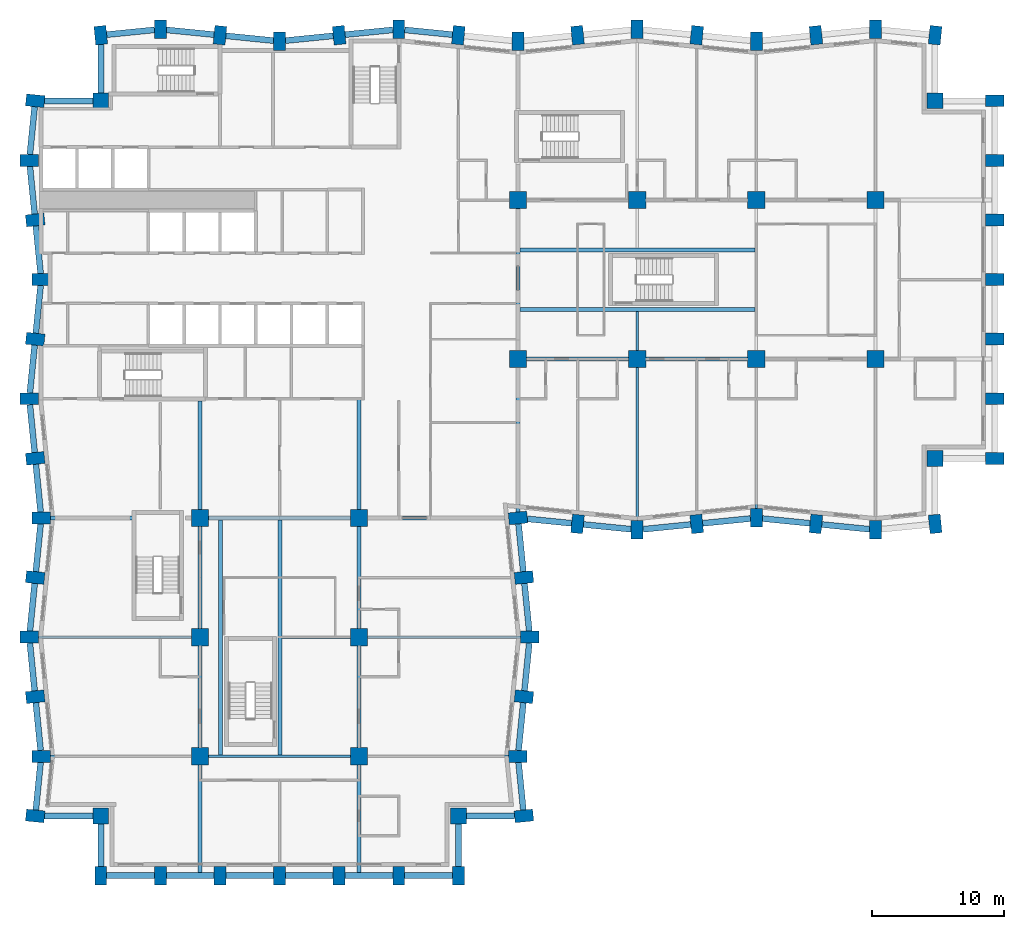
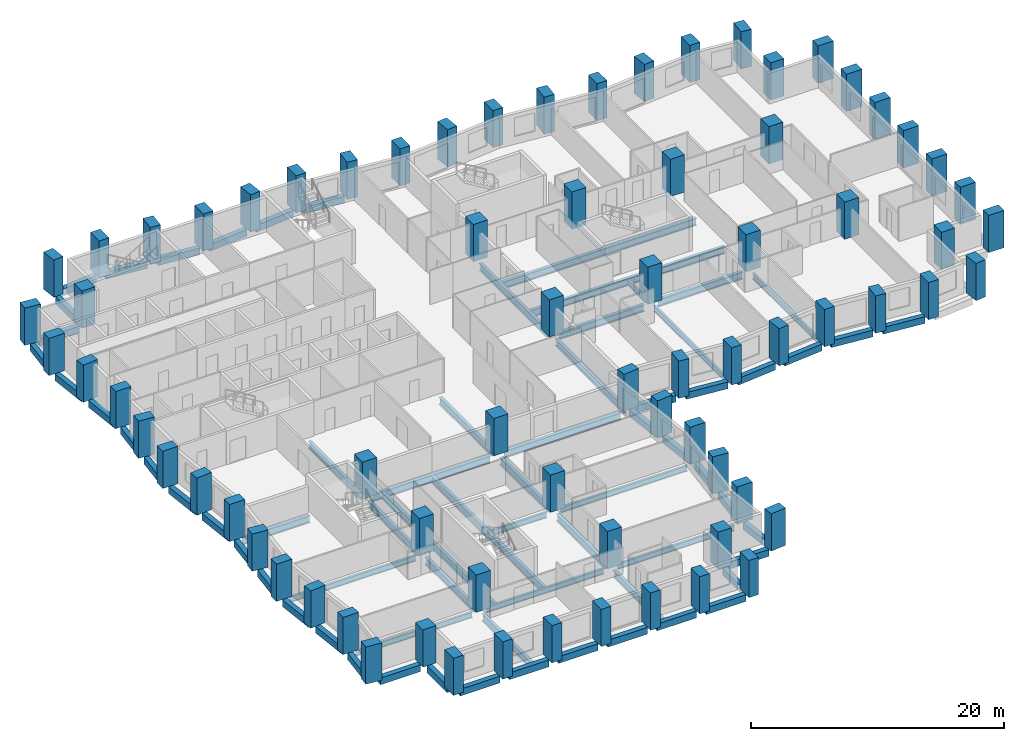
# One storey, part 1 of 12: 74 columns, 69 beams.
"""IFC4 building model written with IfcOpenShell, lengths in metres."""

from ifc_helpers import new_model, si_unit, direction, frame, origin, origin_2d, place, context, subcontext, project, spatial, rectangle, i_section, extrude, material, material_profile, profile_set, type_object, element, save


model = new_model("IFC4")

# Units and contexts
model_context = context("Model", 3, precision=1e-05, world=origin(), true_north=direction((0.0, 1.0)))
body_context = subcontext(model_context, "Body", "Model", "MODEL_VIEW")
ifc_project = project(units=[si_unit("LENGTHUNIT", "METRE"), si_unit("AREAUNIT", "SQUARE_METRE"), si_unit("VOLUMEUNIT", "CUBIC_METRE"), si_unit("PLANEANGLEUNIT", "RADIAN"), si_unit("MASSUNIT", "GRAM", prefix="KILO")], contexts=[model_context])

# Site, building, storey
site_placement = place(None, origin())
site = spatial("IfcSite", under=ifc_project, at=site_placement, CompositionType="ELEMENT")
building_placement = place(site_placement, origin())
building = spatial("IfcBuilding", under=site, at=building_placement, Name="Brondeck Convention Tower", CompositionType="ELEMENT")
storey_placement = place(building_placement, frame((0.0, 0.0, 55.5)))
storey = spatial("IfcBuildingStorey", under=building, at=storey_placement, Name="L11", CompositionType="ELEMENT", Elevation=55.5)

# Columns
ifc_material_1 = material(Name="Concrete C80/95", Category="concrete")
ifc_material_profile_1 = material_profile(ifc_material_1, rectangle(XDim=1.199951171875, YDim=1.199951171875, at=origin_2d()), Name="Corner column 1200x1200 Concrete C80/95")
ifc_profile_set_1 = profile_set([ifc_material_profile_1], Name="Concrete C80/95")
column_type_1 = type_object("IfcColumnType", Name="Corner column 1200x1200 Concrete C80/95", PredefinedType="COLUMN", material=ifc_profile_set_1)
for number, where, z_axis, x_axis, name in (
    (1, (4.5, 4.5, 0.0), (0.0, 0.0, 1.0), (1.0, 0.0, 0.0), "STR-COL-L11-NC-SWB0"),
    (2, (31.5, 4.5, 0.0), (0.0, 0.0, 1.0), (1.0, 0.0, 0.0), "STR-COL-L11-NC-SEB0"),
    (3, (67.5, 31.5, 0.0), (0.0, 0.0, 1.0), (1.0, 0.0, 0.0), "STR-COL-L11-NC-SEA72"),
    (4, (67.5, 58.5, 0.0), (0.0, 0.0, 1.0), (1.0, 0.0, 0.0), "STR-COL-L11-NC-NEA72"),
    (5, (4.5, 58.5, 0.0), (0.0, 0.0, 1.0), (1.0, 0.0, 0.0), "STR-COL-L11-NC-NW"),
):
    element("IfcColumn", number, at=place(storey_placement, frame(where, z_axis=z_axis, x_axis=x_axis)), inside=storey, type_object=column_type_1, Name=name, PredefinedType="COLUMN", context=body_context, shape_type="SweptSolid", body=[
        extrude(rectangle(XDim=1.199951171875, YDim=1.199951171875, at=origin_2d()), origin(), (0.0, 0.0, 1.0), 3.60009765625),
    ])
ifc_material_profile_2 = material_profile(ifc_material_1, rectangle(XDim=1.300048828125, YDim=1.300048828125, at=origin_2d()), Name="Interior column 1300x1300 Concrete C80/95")
ifc_profile_set_2 = profile_set([ifc_material_profile_2], Name="Concrete C80/95")
column_type_2 = type_object("IfcColumnType", Name="Interior column 1300x1300 Concrete C80/95", PredefinedType="COLUMN", material=ifc_profile_set_2)
for number, where, z_axis, x_axis, name in (
    (6, (12.0, 9.0, 0.0), (0.0, 0.0, 1.0), (1.0, 0.0, 0.0), "STR-COL-L11-IC-01"),
    (7, (12.0, 18.0, 0.0), (0.0, 0.0, 1.0), (1.0, 0.0, 0.0), "STR-COL-L11-IC-02"),
    (8, (12.0, 27.0, 0.0), (0.0, 0.0, 1.0), (1.0, 0.0, 0.0), "STR-COL-L11-IC-03"),
    (9, (24.0, 9.0, 0.0), (0.0, 0.0, 1.0), (1.0, 0.0, 0.0), "STR-COL-L11-IC-04"),
    (10, (24.0, 18.0, 0.0), (0.0, 0.0, 1.0), (1.0, 0.0, 0.0), "STR-COL-L11-IC-05"),
    (11, (24.0, 27.0, 0.0), (0.0, 0.0, 1.0), (1.0, 0.0, 0.0), "STR-COL-L11-IC-06"),
    (12, (36.0, 39.0, 0.0), (0.0, 0.0, 1.0), (1.0, 0.0, 0.0), "STR-COL-L11-IC-07"),
    (13, (36.0, 51.0, 0.0), (0.0, 0.0, 1.0), (1.0, 0.0, 0.0), "STR-COL-L11-IC-08"),
    (14, (45.0, 39.0, 0.0), (0.0, 0.0, 1.0), (1.0, 0.0, 0.0), "STR-COL-L11-IC-09"),
    (15, (45.0, 51.0, 0.0), (0.0, 0.0, 1.0), (1.0, 0.0, 0.0), "STR-COL-L11-IC-10"),
    (16, (54.0, 39.0, 0.0), (0.0, 0.0, 1.0), (1.0, 0.0, 0.0), "STR-COL-L11-IC-11"),
    (17, (54.0, 51.0, 0.0), (0.0, 0.0, 1.0), (1.0, 0.0, 0.0), "STR-COL-L11-IC-12"),
    (18, (63.0, 39.0, 0.0), (0.0, 0.0, 1.0), (1.0, 0.0, 0.0), "STR-COL-L11-IC-13"),
    (19, (63.0, 51.0, 0.0), (0.0, 0.0, 1.0), (1.0, 0.0, 0.0), "STR-COL-L11-IC-14"),
):
    element("IfcColumn", number, at=place(storey_placement, frame(where, z_axis=z_axis, x_axis=x_axis)), inside=storey, type_object=column_type_2, Name=name, PredefinedType="COLUMN", context=body_context, shape_type="SweptSolid", body=[
        extrude(rectangle(XDim=1.300048828125, YDim=1.300048828125, at=origin_2d()), origin(), (0.0, 0.0, 1.0), 3.60009765625),
    ])
ifc_material_profile_3 = material_profile(ifc_material_1, rectangle(XDim=0.89990234375, YDim=1.39990234375, at=origin_2d()), Name="Perimeter pier 900x1400 Concrete C80/95")
ifc_profile_set_3 = profile_set([ifc_material_profile_3], Name="Concrete C80/95")
column_type_3 = type_object("IfcColumnType", Name="Perimeter pier 900x1400 Concrete C80/95", PredefinedType="COLUMN", material=ifc_profile_set_3)
for number, where, z_axis, x_axis, name in (
    (20, (4.5, 0.0, 0.0), (0.0, 0.0, 1.0), (1.0, 0.0, 0.0), "STR-COL-L11-PC-B-S0-01"),
    (21, (9.0, 0.0, 0.0), (0.0, 0.0, 1.0), (1.0, 0.0, 0.0), "STR-COL-L11-PC-B-S0-02"),
    (22, (13.5, 0.0, 0.0), (0.0, 0.0, 1.0), (1.0, 0.0, 0.0), "STR-COL-L11-PC-B-S0-03"),
    (23, (18.0, 0.0, 0.0), (0.0, 0.0, 1.0), (1.0, 0.0, 0.0), "STR-COL-L11-PC-B-S0-04"),
    (24, (22.5, 0.0, 0.0), (0.0, 0.0, 1.0), (1.0, 0.0, 0.0), "STR-COL-L11-PC-B-S0-05"),
    (25, (27.0, 0.0, 0.0), (0.0, 0.0, 1.0), (1.0, 0.0, 0.0), "STR-COL-L11-PC-B-S0-06"),
    (26, (31.5, 0.0, 0.0), (0.0, 0.0, 1.0), (1.0, 0.0, 0.0), "STR-COL-L11-PC-B-S0-07"),
    (27, (36.449951171875, 4.5, 0.0), (0.0, 0.0, 1.0), (-0.0995038382, 0.995037178292, 0.0), "STR-COL-L11-PC-B-E-05"),
    (28, (36.0, 9.0, 0.0), (0.0, 0.0, 1.0), (0.0, 1.0, 0.0), "STR-COL-L11-PC-B-E-04"),
    (29, (36.449951171875, 13.5, 0.0), (0.0, 0.0, 1.0), (0.0995038382, 0.995037178292, 0.0), "STR-COL-L11-PC-B-E-03"),
    (30, (36.89990234375, 18.0, 0.0), (0.0, 0.0, 1.0), (0.0, 1.0, 0.0), "STR-COL-L11-PC-B-E-02"),
    (31, (36.449951171875, 22.5, 0.0), (0.0, 0.0, 1.0), (-0.0995038382, 0.995037178292, 0.0), "STR-COL-L11-PC-B-E-01"),
    (32, (36.0, 27.0, 0.0), (0.0, 0.0, 1.0), (-0.0995038382, 0.995037178292, 0.0), "STR-COL-L11-PC-B-E-00"),
    (33, (40.5, 26.550048828125, 0.0), (0.0, 0.0, 1.0), (0.995037178292, -0.0995038382, 0.0), "STR-COL-L11-PC-A-S-01"),
    (34, (45.0, 26.10009765625, 0.0), (0.0, 0.0, 1.0), (1.0, 0.0, 0.0), "STR-COL-L11-PC-A-S-02"),
    (35, (49.5, 26.550048828125, 0.0), (0.0, 0.0, 1.0), (0.995037178292, 0.0995038382, 0.0), "STR-COL-L11-PC-A-S-03"),
    (36, (54.0, 27.0, 0.0), (0.0, 0.0, 1.0), (1.0, 0.0, 0.0), "STR-COL-L11-PC-A-S-04"),
    (37, (58.5, 26.550048828125, 0.0), (0.0, 0.0, 1.0), (0.995037178292, -0.0995038382, 0.0), "STR-COL-L11-PC-A-S-05"),
    (38, (63.0, 26.10009765625, 0.0), (0.0, 0.0, 1.0), (1.0, 0.0, 0.0), "STR-COL-L11-PC-A-S-06"),
    (39, (67.5, 26.550048828125, 0.0), (0.0, 0.0, 1.0), (0.995037178292, 0.0995038382, 0.0), "STR-COL-L11-PC-A-S-07"),
    (40, (72.0, 31.5, 0.0), (0.0, 0.0, 1.0), (0.0, 1.0, 0.0), "STR-COL-L11-PC-A-E72-01"),
    (41, (72.0, 36.0, 0.0), (0.0, 0.0, 1.0), (0.0, 1.0, 0.0), "STR-COL-L11-PC-A-E72-02"),
    (42, (72.0, 40.5, 0.0), (0.0, 0.0, 1.0), (0.0, 1.0, 0.0), "STR-COL-L11-PC-A-E72-03"),
    (43, (72.0, 45.0, 0.0), (0.0, 0.0, 1.0), (0.0, 1.0, 0.0), "STR-COL-L11-PC-A-E72-04"),
    (44, (72.0, 49.5, 0.0), (0.0, 0.0, 1.0), (0.0, 1.0, 0.0), "STR-COL-L11-PC-A-E72-05"),
    (45, (72.0, 54.0, 0.0), (0.0, 0.0, 1.0), (0.0, 1.0, 0.0), "STR-COL-L11-PC-A-E72-06"),
    (46, (72.0, 58.5, 0.0), (0.0, 0.0, 1.0), (0.0, 1.0, 0.0), "STR-COL-L11-PC-A-E72-07"),
    (47, (67.5, 63.449951171875, 0.0), (0.0, 0.0, 1.0), (-0.995037178292, 0.0995038382, 0.0), "STR-COL-L11-PC-A-N-15"),
    (48, (63.0, 63.89990234375, 0.0), (0.0, 0.0, 1.0), (-1.0, 0.0, 0.0), "STR-COL-L11-PC-A-N-14"),
    (49, (58.5, 63.449951171875, 0.0), (0.0, 0.0, 1.0), (-0.995037178292, -0.0995038382, 0.0), "STR-COL-L11-PC-A-N-13"),
    (50, (54.0, 63.0, 0.0), (0.0, 0.0, 1.0), (-1.0, 0.0, 0.0), "STR-COL-L11-PC-A-N-12"),
    (51, (49.5, 63.449951171875, 0.0), (0.0, 0.0, 1.0), (-0.995037178292, 0.0995038382, 0.0), "STR-COL-L11-PC-A-N-11"),
    (52, (45.0, 63.89990234375, 0.0), (0.0, 0.0, 1.0), (-1.0, 0.0, 0.0), "STR-COL-L11-PC-A-N-10"),
    (53, (40.5, 63.449951171875, 0.0), (0.0, 0.0, 1.0), (-0.995037178292, -0.0995038382, 0.0), "STR-COL-L11-PC-A-N-09"),
    (54, (36.0, 63.0, 0.0), (0.0, 0.0, 1.0), (-1.0, 0.0, 0.0), "STR-COL-L11-PC-A-N-08"),
    (55, (31.5, 63.449951171875, 0.0), (0.0, 0.0, 1.0), (-0.995037178292, 0.0995038382, 0.0), "STR-COL-L11-PC-A-N-07"),
    (56, (27.0, 63.89990234375, 0.0), (0.0, 0.0, 1.0), (-1.0, 0.0, 0.0), "STR-COL-L11-PC-A-N-06"),
    (57, (22.5, 63.449951171875, 0.0), (0.0, 0.0, 1.0), (-0.995037178292, -0.0995038382, 0.0), "STR-COL-L11-PC-A-N-05"),
    (58, (18.0, 63.0, 0.0), (0.0, 0.0, 1.0), (-1.0, 0.0, 0.0), "STR-COL-L11-PC-A-N-04"),
    (59, (13.5, 63.449951171875, 0.0), (0.0, 0.0, 1.0), (-0.995037178292, 0.0995038382, 0.0), "STR-COL-L11-PC-A-N-03"),
    (60, (9.0, 63.89990234375, 0.0), (0.0, 0.0, 1.0), (-1.0, 0.0, 0.0), "STR-COL-L11-PC-A-N-02"),
    (61, (4.5, 63.449951171875, 0.0), (0.0, 0.0, 1.0), (-0.995037178292, -0.0995038382, 0.0), "STR-COL-L11-PC-A-N-01"),
    (62, (-0.449951171875, 58.5, 0.0), (0.0, 0.0, 1.0), (-0.0995038382, -0.995037178292, 0.0), "STR-COL-L11-PC-B-W-01"),
    (63, (-0.89990234375, 54.0, 0.0), (0.0, 0.0, 1.0), (0.0, -1.0, 0.0), "STR-COL-L11-PC-B-W-02"),
    (64, (-0.449951171875, 49.5, 0.0), (0.0, 0.0, 1.0), (0.0995038382, -0.995037178292, 0.0), "STR-COL-L11-PC-B-W-03"),
    (65, (0.0, 45.0, 0.0), (0.0, 0.0, 1.0), (0.0, -1.0, 0.0), "STR-COL-L11-PC-B-W-04"),
    (66, (-0.449951171875, 40.5, 0.0), (0.0, 0.0, 1.0), (-0.0995038382, -0.995037178292, 0.0), "STR-COL-L11-PC-B-W-05"),
    (67, (-0.89990234375, 36.0, 0.0), (0.0, 0.0, 1.0), (0.0, -1.0, 0.0), "STR-COL-L11-PC-B-W-06"),
    (68, (-0.449951171875, 31.5, 0.0), (0.0, 0.0, 1.0), (0.0995038382, -0.995037178292, 0.0), "STR-COL-L11-PC-B-W-07"),
    (69, (0.0, 27.0, 0.0), (0.0, 0.0, 1.0), (0.0, -1.0, 0.0), "STR-COL-L11-PC-B-W-08"),
    (70, (-0.449951171875, 22.5, 0.0), (0.0, 0.0, 1.0), (-0.0995038382, -0.995037178292, 0.0), "STR-COL-L11-PC-B-W-09"),
    (71, (-0.89990234375, 18.0, 0.0), (0.0, 0.0, 1.0), (0.0, -1.0, 0.0), "STR-COL-L11-PC-B-W-10"),
    (72, (-0.449951171875, 13.5, 0.0), (0.0, 0.0, 1.0), (0.0995038382, -0.995037178292, 0.0), "STR-COL-L11-PC-B-W-11"),
    (73, (0.0, 9.0, 0.0), (0.0, 0.0, 1.0), (0.0, -1.0, 0.0), "STR-COL-L11-PC-B-W-12"),
    (74, (-0.449951171875, 4.5, 0.0), (0.0, 0.0, 1.0), (-0.0995038382, -0.995037178292, 0.0), "STR-COL-L11-PC-B-W-13"),
):
    element("IfcColumn", number, at=place(storey_placement, frame(where, z_axis=z_axis, x_axis=x_axis)), inside=storey, type_object=column_type_3, Name=name, PredefinedType="COLUMN", context=body_context, shape_type="SweptSolid", body=[
        extrude(rectangle(XDim=0.89990234375, YDim=1.39990234375, at=origin_2d()), origin(), (0.0, 0.0, 1.0), 3.60009765625),
    ])

# Beams
ifc_material_2 = material(Name="Steel S355", Category="steel")
ifc_material_profile_4 = material_profile(ifc_material_2, i_section(OverallWidth=0.2099609375, OverallDepth=0.550048828125, WebThickness=0.010986328125, FlangeThickness=0.01708984375, FilletRadius=0.02392578125, at=origin_2d()), Name="IPE 550")
ifc_profile_set_4 = profile_set([ifc_material_profile_4], Name="Steel S355")
beam_type_1 = type_object("IfcBeamType", Name="Floor beam IPE 550", PredefinedType="BEAM", material=ifc_profile_set_4)
beam_1_placement = place(storey_placement, frame((45.0, 26.800048828125, -0.574951171875), z_axis=(0.0, 1.0, 0.0), x_axis=(-1.0, 0.0, 0.0)))
element("IfcBeam", 75, at=beam_1_placement, inside=storey, type_object=beam_type_1, Name="STR-FB-L11-001", PredefinedType="BEAM", context=body_context, shape_type="SweptSolid", body=[
    extrude(i_section(OverallWidth=0.2099609375, OverallDepth=0.550048828125, WebThickness=0.010986328125, FlangeThickness=0.01708984375, FilletRadius=0.02392578125, at=origin_2d()), origin(), (0.0, 0.0, 1.0), 11.550048828125),
])
for number, where, z_axis, x_axis, name in (
    (76, (54.0, 27.699951171875, -0.574951171875), (0.0, 1.0, 0.0), (-1.0, 0.0, 0.0), "STR-FB-L11-003"),
    (77, (0.699951171875, 9.0, -0.574951171875), (1.0, 0.0, 0.0), (0.0, 1.0, 0.0), "STR-FB-L11-009"),
):
    element("IfcBeam", number, at=place(storey_placement, frame(where, z_axis=z_axis, x_axis=x_axis)), inside=storey, type_object=beam_type_1, Name=name, PredefinedType="BEAM", context=body_context, shape_type="SweptSolid", body=[
        extrude(i_section(OverallWidth=0.2099609375, OverallDepth=0.550048828125, WebThickness=0.010986328125, FlangeThickness=0.01708984375, FilletRadius=0.02392578125, at=origin_2d()), origin(), (0.0, 0.0, 1.0), 10.650146484375),
    ])
beam_2_placement = place(storey_placement, frame((12.64990234375, 9.0, -0.574951171875), z_axis=(1.0, 0.0, 0.0), x_axis=(0.0, 1.0, 0.0)))
element("IfcBeam", 78, at=beam_2_placement, inside=storey, type_object=beam_type_1, Name="STR-FB-L11-010", PredefinedType="BEAM", context=body_context, shape_type="SweptSolid", body=[
    extrude(i_section(OverallWidth=0.2099609375, OverallDepth=0.550048828125, WebThickness=0.010986328125, FlangeThickness=0.01708984375, FilletRadius=0.02392578125, at=origin_2d()), origin(), (0.0, 0.0, 1.0), 10.7001953125),
])
beam_3_placement = place(storey_placement, frame((24.64990234375, 9.0, -0.574951171875), z_axis=(1.0, 0.0, 0.0), x_axis=(0.0, 1.0, 0.0)))
element("IfcBeam", 79, at=beam_3_placement, inside=storey, type_object=beam_type_1, Name="STR-FB-L11-011", PredefinedType="BEAM", context=body_context, shape_type="SweptSolid", body=[
    extrude(i_section(OverallWidth=0.2099609375, OverallDepth=0.550048828125, WebThickness=0.010986328125, FlangeThickness=0.01708984375, FilletRadius=0.02392578125, at=origin_2d()), origin(), (0.0, 0.0, 1.0), 10.650146484375),
])
for number, where, z_axis, x_axis, name in (
    (80, (-0.199951171875, 18.0, -0.574951171875), (1.0, 0.0, 0.0), (0.0, 1.0, 0.0), "STR-FB-L11-012"),
    (81, (24.64990234375, 18.0, -0.574951171875), (1.0, 0.0, 0.0), (0.0, 1.0, 0.0), "STR-FB-L11-013"),
):
    element("IfcBeam", number, at=place(storey_placement, frame(where, z_axis=z_axis, x_axis=x_axis)), inside=storey, type_object=beam_type_1, Name=name, PredefinedType="BEAM", context=body_context, shape_type="SweptSolid", body=[
        extrude(i_section(OverallWidth=0.2099609375, OverallDepth=0.550048828125, WebThickness=0.010986328125, FlangeThickness=0.01708984375, FilletRadius=0.02392578125, at=origin_2d()), origin(), (0.0, 0.0, 1.0), 11.550048828125),
    ])
beam_4_placement = place(storey_placement, frame((45.0, 39.64990234375, -0.574951171875), z_axis=(0.0, 1.0, 0.0), x_axis=(-1.0, 0.0, 0.0)))
element("IfcBeam", 82, at=beam_4_placement, inside=storey, type_object=beam_type_1, Name="STR-FB-L11-014", PredefinedType="BEAM", context=body_context, shape_type="SweptSolid", body=[
    extrude(i_section(OverallWidth=0.2099609375, OverallDepth=0.550048828125, WebThickness=0.010986328125, FlangeThickness=0.01708984375, FilletRadius=0.02392578125, at=origin_2d()), origin(), (0.0, 0.0, 1.0), 2.9501953125),
])
beam_5_placement = place(storey_placement, frame((18.199951171875, 18.0, -0.574951171875), z_axis=(1.0, 0.0, 0.0), x_axis=(0.0, 1.0, 0.0)))
element("IfcBeam", 83, at=beam_5_placement, inside=storey, type_object=beam_type_1, Name="STR-FB-L11-016", PredefinedType="BEAM", context=body_context, shape_type="SweptSolid", body=[
    extrude(i_section(OverallWidth=0.2099609375, OverallDepth=0.550048828125, WebThickness=0.010986328125, FlangeThickness=0.01708984375, FilletRadius=0.02392578125, at=origin_2d()), origin(), (0.0, 0.0, 1.0), 5.150146484375),
])
ifc_material_profile_5 = material_profile(ifc_material_2, i_section(OverallWidth=0.300048828125, OverallDepth=0.699951171875, WebThickness=0.01708984375, FlangeThickness=0.031982421875, FilletRadius=0.027099609375, at=origin_2d()), Name="HEB 700")
ifc_profile_set_5 = profile_set([ifc_material_profile_5], Name="Steel S355")
beam_type_2 = type_object("IfcBeamType", Name="Girder HEB 700", PredefinedType="BEAM", material=ifc_profile_set_5)
for number, where, z_axis, x_axis, name in (
    (84, (36.64990234375, 39.0, -0.64990234375), (1.0, 0.0, 0.0), (0.0, 1.0, 0.0), "STR-GR-L11-001"),
    (85, (45.64990234375, 39.0, -0.64990234375), (1.0, 0.0, 0.0), (0.0, 1.0, 0.0), "STR-GR-L11-002"),
):
    element("IfcBeam", number, at=place(storey_placement, frame(where, z_axis=z_axis, x_axis=x_axis)), inside=storey, type_object=beam_type_2, Name=name, PredefinedType="BEAM", context=body_context, shape_type="SweptSolid", body=[
        extrude(i_section(OverallWidth=0.300048828125, OverallDepth=0.699951171875, WebThickness=0.01708984375, FlangeThickness=0.031982421875, FilletRadius=0.027099609375, at=origin_2d()), origin(), (0.0, 0.0, 1.0), 7.7001953125),
    ])
beam_6_placement = place(storey_placement, frame((36.0, 27.4521484375, -0.64990234375), z_axis=(0.0, 1.0, 0.0), x_axis=(-1.0, 0.0, 0.0)))
element("IfcBeam", 86, at=beam_6_placement, inside=storey, type_object=beam_type_2, Name="STR-GR-L11-009", PredefinedType="BEAM", context=body_context, shape_type="SweptSolid", body=[
    extrude(i_section(OverallWidth=0.300048828125, OverallDepth=0.699951171875, WebThickness=0.01708984375, FlangeThickness=0.031982421875, FilletRadius=0.027099609375, at=origin_2d()), origin(), (0.0, 0.0, 1.0), 10.89794921875),
])
beam_7_placement = place(storey_placement, frame((36.0, 39.64990234375, -0.64990234375), z_axis=(0.0, 1.0, 0.0), x_axis=(-1.0, 0.0, 0.0)))
element("IfcBeam", 87, at=beam_7_placement, inside=storey, type_object=beam_type_2, Name="STR-GR-L11-010", PredefinedType="BEAM", context=body_context, shape_type="SweptSolid", body=[
    extrude(i_section(OverallWidth=0.300048828125, OverallDepth=0.699951171875, WebThickness=0.01708984375, FlangeThickness=0.031982421875, FilletRadius=0.027099609375, at=origin_2d()), origin(), (0.0, 0.0, 1.0), 10.7001953125),
])
beam_8_placement = place(storey_placement, frame((12.0, 35.85009765625, -0.64990234375), z_axis=(0.0, -1.0, 0.0), x_axis=(1.0, 0.0, 0.0)))
element("IfcBeam", 88, at=beam_8_placement, inside=storey, type_object=beam_type_2, Name="STR-GR-L11-013", PredefinedType="BEAM", context=body_context, shape_type="SweptSolid", body=[
    extrude(i_section(OverallWidth=0.300048828125, OverallDepth=0.699951171875, WebThickness=0.01708984375, FlangeThickness=0.031982421875, FilletRadius=0.027099609375, at=origin_2d()), origin(), (0.0, 0.0, 1.0), 8.2001953125),
])
for number, where, z_axis, x_axis, name in (
    (89, (12.0, 26.35009765625, -0.64990234375), (0.0, -1.0, 0.0), (1.0, 0.0, 0.0), "STR-GR-L11-014"),
    (90, (12.0, 17.35009765625, -0.64990234375), (0.0, -1.0, 0.0), (1.0, 0.0, 0.0), "STR-GR-L11-015"),
):
    element("IfcBeam", number, at=place(storey_placement, frame(where, z_axis=z_axis, x_axis=x_axis)), inside=storey, type_object=beam_type_2, Name=name, PredefinedType="BEAM", context=body_context, shape_type="SweptSolid", body=[
        extrude(i_section(OverallWidth=0.300048828125, OverallDepth=0.699951171875, WebThickness=0.01708984375, FlangeThickness=0.031982421875, FilletRadius=0.027099609375, at=origin_2d()), origin(), (0.0, 0.0, 1.0), 7.7001953125),
    ])
beam_9_placement = place(storey_placement, frame((12.0, 8.35009765625, -0.64990234375), z_axis=(0.0, -1.0, 0.0), x_axis=(1.0, 0.0, 0.0)))
element("IfcBeam", 91, at=beam_9_placement, inside=storey, type_object=beam_type_2, Name="STR-GR-L11-016", PredefinedType="BEAM", context=body_context, shape_type="SweptSolid", body=[
    extrude(i_section(OverallWidth=0.300048828125, OverallDepth=0.699951171875, WebThickness=0.01708984375, FlangeThickness=0.031982421875, FilletRadius=0.027099609375, at=origin_2d()), origin(), (0.0, 0.0, 1.0), 8.125),
])
beam_10_placement = place(storey_placement, frame((24.0, 35.955078125, -0.64990234375), z_axis=(0.0, -1.0, 0.0), x_axis=(1.0, 0.0, 0.0)))
element("IfcBeam", 92, at=beam_10_placement, inside=storey, type_object=beam_type_2, Name="STR-GR-L11-017", PredefinedType="BEAM", context=body_context, shape_type="SweptSolid", body=[
    extrude(i_section(OverallWidth=0.300048828125, OverallDepth=0.699951171875, WebThickness=0.01708984375, FlangeThickness=0.031982421875, FilletRadius=0.027099609375, at=origin_2d()), origin(), (0.0, 0.0, 1.0), 8.30517578125),
])
for number, where, z_axis, x_axis, name in (
    (93, (24.0, 26.35009765625, -0.64990234375), (0.0, -1.0, 0.0), (1.0, 0.0, 0.0), "STR-GR-L11-018"),
    (94, (24.0, 17.35009765625, -0.64990234375), (0.0, -1.0, 0.0), (1.0, 0.0, 0.0), "STR-GR-L11-019"),
):
    element("IfcBeam", number, at=place(storey_placement, frame(where, z_axis=z_axis, x_axis=x_axis)), inside=storey, type_object=beam_type_2, Name=name, PredefinedType="BEAM", context=body_context, shape_type="SweptSolid", body=[
        extrude(i_section(OverallWidth=0.300048828125, OverallDepth=0.699951171875, WebThickness=0.01708984375, FlangeThickness=0.031982421875, FilletRadius=0.027099609375, at=origin_2d()), origin(), (0.0, 0.0, 1.0), 7.7001953125),
    ])
beam_11_placement = place(storey_placement, frame((24.0, 8.35009765625, -0.64990234375), z_axis=(0.0, -1.0, 0.0), x_axis=(1.0, 0.0, 0.0)))
element("IfcBeam", 95, at=beam_11_placement, inside=storey, type_object=beam_type_2, Name="STR-GR-L11-020", PredefinedType="BEAM", context=body_context, shape_type="SweptSolid", body=[
    extrude(i_section(OverallWidth=0.300048828125, OverallDepth=0.699951171875, WebThickness=0.01708984375, FlangeThickness=0.031982421875, FilletRadius=0.027099609375, at=origin_2d()), origin(), (0.0, 0.0, 1.0), 8.125),
])
beam_12_placement = place(storey_placement, frame((0.699951171875, 27.0, -0.64990234375), z_axis=(1.0, 0.0, 0.0), x_axis=(0.0, 1.0, 0.0)))
element("IfcBeam", 96, at=beam_12_placement, inside=storey, type_object=beam_type_2, Name="STR-GR-L11-021", PredefinedType="BEAM", context=body_context, shape_type="SweptSolid", body=[
    extrude(i_section(OverallWidth=0.300048828125, OverallDepth=0.699951171875, WebThickness=0.01708984375, FlangeThickness=0.031982421875, FilletRadius=0.027099609375, at=origin_2d()), origin(), (0.0, 0.0, 1.0), 6.179931640625),
])
beam_13_placement = place(storey_placement, frame((12.64990234375, 27.0, -0.64990234375), z_axis=(1.0, 0.0, 0.0), x_axis=(0.0, 1.0, 0.0)))
element("IfcBeam", 97, at=beam_13_placement, inside=storey, type_object=beam_type_2, Name="STR-GR-L11-022", PredefinedType="BEAM", context=body_context, shape_type="SweptSolid", body=[
    extrude(i_section(OverallWidth=0.300048828125, OverallDepth=0.699951171875, WebThickness=0.01708984375, FlangeThickness=0.031982421875, FilletRadius=0.027099609375, at=origin_2d()), origin(), (0.0, 0.0, 1.0), 10.7001953125),
])
beam_14_placement = place(storey_placement, frame((24.64990234375, 27.0, -0.64990234375), z_axis=(1.0, 0.0, 0.0), x_axis=(0.0, 1.0, 0.0)))
element("IfcBeam", 98, at=beam_14_placement, inside=storey, type_object=beam_type_2, Name="STR-GR-L11-023", PredefinedType="BEAM", context=body_context, shape_type="SweptSolid", body=[
    extrude(i_section(OverallWidth=0.300048828125, OverallDepth=0.699951171875, WebThickness=0.01708984375, FlangeThickness=0.031982421875, FilletRadius=0.027099609375, at=origin_2d()), origin(), (0.0, 0.0, 1.0), 10.646484375),
])
for number, where, z_axis, x_axis, name in (
    (99, (36.14990234375, 42.75, -0.64990234375), (1.0, 0.0, 0.0), (0.0, 1.0, 0.0), "STR-GR-L11-024"),
    (100, (36.14990234375, 47.25, -0.64990234375), (1.0, 0.0, 0.0), (0.0, 1.0, 0.0), "STR-GR-L11-025"),
    (101, (13.550048828125, 9.10498046875, -0.64990234375), (0.0, 1.0, 0.0), (-1.0, 0.0, 0.0), "STR-GR-L11-026"),
    (102, (18.050048828125, 9.10498046875, -0.64990234375), (0.0, 1.0, 0.0), (-1.0, 0.0, 0.0), "STR-GR-L11-027"),
):
    element("IfcBeam", number, at=place(storey_placement, frame(where, z_axis=z_axis, x_axis=x_axis)), inside=storey, type_object=beam_type_2, Name=name, PredefinedType="BEAM", context=body_context, shape_type="SweptSolid", body=[
        extrude(i_section(OverallWidth=0.300048828125, OverallDepth=0.699951171875, WebThickness=0.01708984375, FlangeThickness=0.031982421875, FilletRadius=0.027099609375, at=origin_2d()), origin(), (0.0, 0.0, 1.0), 17.7451171875),
    ])
ifc_material_profile_6 = material_profile(ifc_material_1, rectangle(XDim=0.449951171875, YDim=0.64990234375, at=origin_2d()), Name="Precast spandrel 450x650 Concrete C80/95")
ifc_profile_set_6 = profile_set([ifc_material_profile_6], Name="Concrete C80/95")
beam_type_3 = type_object("IfcBeamType", Name="Precast spandrel 450x650 Concrete C80/95", PredefinedType="SPANDREL", material=ifc_profile_set_6)
for number, where, z_axis, x_axis, name in (
    (103, (4.949951171875, 0.0, -0.324951171875), (1.0, 0.0, 0.0), (0.0, 1.0, 0.0), "STR-SP-L11-001"),
    (104, (9.449951171875, 0.0, -0.324951171875), (1.0, 0.0, 0.0), (0.0, 1.0, 0.0), "STR-SP-L11-002"),
    (105, (13.949951171875, 0.0, -0.324951171875), (1.0, 0.0, 0.0), (0.0, 1.0, 0.0), "STR-SP-L11-003"),
    (106, (18.449951171875, 0.0, -0.324951171875), (1.0, 0.0, 0.0), (0.0, 1.0, 0.0), "STR-SP-L11-004"),
    (107, (22.949951171875, 0.0, -0.324951171875), (1.0, 0.0, 0.0), (0.0, 1.0, 0.0), "STR-SP-L11-005"),
    (108, (27.449951171875, 0.0, -0.324951171875), (1.0, 0.0, 0.0), (0.0, 1.0, 0.0), "STR-SP-L11-006"),
):
    element("IfcBeam", number, at=place(storey_placement, frame(where, z_axis=z_axis, x_axis=x_axis)), inside=storey, type_object=beam_type_3, Name=name, PredefinedType="SPANDREL", context=body_context, shape_type="SweptSolid", body=[
        extrude(rectangle(XDim=0.449951171875, YDim=0.64990234375, at=origin_2d()), origin(), (0.0, 0.0, 1.0), 3.60009765625),
    ])
beam_15_placement = place(storey_placement, frame((31.5, 0.699951171875, -0.324951171875), z_axis=(0.0, 1.0, 0.0), x_axis=(-1.0, 0.0, 0.0)))
element("IfcBeam", 109, at=beam_15_placement, inside=storey, type_object=beam_type_3, Name="STR-SP-L11-007", PredefinedType="SPANDREL", context=body_context, shape_type="SweptSolid", body=[
    extrude(rectangle(XDim=0.449951171875, YDim=0.64990234375, at=origin_2d()), origin(), (0.0, 0.0, 1.0), 3.199951171875),
])
beam_16_placement = place(storey_placement, frame((32.10009765625, 4.5, -0.324951171875), z_axis=(1.0, 0.0, 0.0), x_axis=(0.0, 1.0, 0.0)))
element("IfcBeam", 110, at=beam_16_placement, inside=storey, type_object=beam_type_3, Name="STR-SP-L11-008", PredefinedType="SPANDREL", context=body_context, shape_type="SweptSolid", body=[
    extrude(rectangle(XDim=0.449951171875, YDim=0.64990234375, at=origin_2d()), origin(), (0.0, 0.0, 1.0), 3.646484375),
])
for number, where, z_axis, x_axis, name in (
    (111, (36.4052734375, 4.94775390625, -0.324951171875), (-0.099537103649, 0.995033851182, 0.0), (-0.995033851182, -0.099537103649, 0.0), "STR-SP-L11-009"),
    (112, (36.044921875, 9.449951171875, -0.324951171875), (0.099537103649, 0.995033851182, 0.0), (-0.995033851182, 0.099537103649, 0.0), "STR-SP-L11-010"),
    (113, (36.494873046875, 13.94775390625, -0.324951171875), (0.099470334057, 0.995040528141, 0.0), (-0.995040528141, 0.099470334057, 0.0), "STR-SP-L11-011"),
    (114, (36.85498046875, 18.449951171875, -0.324951171875), (-0.099470334057, 0.995040528141, 0.0), (-0.995040528141, -0.099470334057, 0.0), "STR-SP-L11-012"),
):
    element("IfcBeam", number, at=place(storey_placement, frame(where, z_axis=z_axis, x_axis=x_axis)), inside=storey, type_object=beam_type_3, Name=name, PredefinedType="SPANDREL", context=body_context, shape_type="SweptSolid", body=[
        extrude(rectangle(XDim=0.449951171875, YDim=0.64990234375, at=origin_2d()), origin(), (0.0, 0.0, 1.0), 3.620361328125),
    ])
beam_17_placement = place(storey_placement, frame((36.4052734375, 22.94775390625, -0.324951171875), z_axis=(-0.099543756114, 0.995033185687, 0.0), x_axis=(-0.995033185687, -0.099543756114, 0.0)))
element("IfcBeam", 115, at=beam_17_placement, inside=storey, type_object=beam_type_3, Name="STR-SP-L11-013", PredefinedType="SPANDREL", context=body_context, shape_type="SweptSolid", body=[
    extrude(rectangle(XDim=0.449951171875, YDim=0.64990234375, at=origin_2d()), origin(), (0.0, 0.0, 1.0), 3.62255859375),
])
beam_18_placement = place(storey_placement, frame((36.710693359375, 26.928955078125, -0.324951171875), z_axis=(0.995035030591, -0.099525312843, 0.0), x_axis=(0.099525312843, 0.995035030591, 0.0)))
element("IfcBeam", 116, at=beam_18_placement, inside=storey, type_object=beam_type_3, Name="STR-SP-L11-014", PredefinedType="SPANDREL", context=body_context, shape_type="SweptSolid", body=[
    extrude(rectangle(XDim=0.449951171875, YDim=0.64990234375, at=origin_2d()), origin(), (0.0, 0.0, 1.0), 3.358154296875),
])
for number, where, z_axis, x_axis, name in (
    (117, (40.94775390625, 26.505126953125, -0.324951171875), (0.995040528141, -0.099470334057, 0.0), (0.099470334057, 0.995040528141, 0.0), "STR-SP-L11-015"),
    (118, (45.449951171875, 26.14501953125, -0.324951171875), (0.995040528141, 0.099470334057, 0.0), (-0.099470334057, 0.995040528141, 0.0), "STR-SP-L11-016"),
    (119, (49.94775390625, 26.5947265625, -0.324951171875), (0.995033851182, 0.099537103649, 0.0), (-0.099537103649, 0.995033851182, 0.0), "STR-SP-L11-017"),
    (120, (54.449951171875, 26.955078125, -0.324951171875), (0.995033851182, -0.099537103649, 0.0), (0.099537103649, 0.995033851182, 0.0), "STR-SP-L11-018"),
    (121, (58.94775390625, 26.505126953125, -0.324951171875), (0.995040528141, -0.099470334057, 0.0), (0.099470334057, 0.995040528141, 0.0), "STR-SP-L11-019"),
    (122, (31.05224609375, 63.494873046875, -0.324951171875), (-0.995040528141, 0.099470334057, 0.0), (-0.099470334057, -0.995040528141, 0.0), "STR-SP-L11-039"),
    (123, (26.550048828125, 63.85498046875, -0.324951171875), (-0.995040528141, -0.099470334057, 0.0), (0.099470334057, -0.995040528141, 0.0), "STR-SP-L11-040"),
    (124, (22.05224609375, 63.4052734375, -0.324951171875), (-0.995033851182, -0.099537103649, 0.0), (0.099537103649, -0.995033851182, 0.0), "STR-SP-L11-041"),
    (125, (17.550048828125, 63.044921875, -0.324951171875), (-0.995033851182, 0.099537103649, 0.0), (-0.099537103649, -0.995033851182, 0.0), "STR-SP-L11-042"),
    (126, (13.05224609375, 63.494873046875, -0.324951171875), (-0.995040528141, 0.099470334057, 0.0), (-0.099470334057, -0.995040528141, 0.0), "STR-SP-L11-043"),
    (127, (8.550048828125, 63.85498046875, -0.324951171875), (-0.995040528141, -0.099470334057, 0.0), (0.099470334057, -0.995040528141, 0.0), "STR-SP-L11-044"),
):
    element("IfcBeam", number, at=place(storey_placement, frame(where, z_axis=z_axis, x_axis=x_axis)), inside=storey, type_object=beam_type_3, Name=name, PredefinedType="SPANDREL", context=body_context, shape_type="SweptSolid", body=[
        extrude(rectangle(XDim=0.449951171875, YDim=0.64990234375, at=origin_2d()), origin(), (0.0, 0.0, 1.0), 3.620361328125),
    ])
for number, where, z_axis, x_axis, name in (
    (128, (4.5, 62.74658203125, -0.324951171875), (0.0, -1.0, 0.0), (1.0, 0.0, 0.0), "STR-SP-L11-045"),
    (129, (3.89990234375, 58.5, -0.324951171875), (-1.0, 0.0, 0.0), (0.0, -1.0, 0.0), "STR-SP-L11-046"),
):
    element("IfcBeam", number, at=place(storey_placement, frame(where, z_axis=z_axis, x_axis=x_axis)), inside=storey, type_object=beam_type_3, Name=name, PredefinedType="SPANDREL", context=body_context, shape_type="SweptSolid", body=[
        extrude(rectangle(XDim=0.449951171875, YDim=0.64990234375, at=origin_2d()), origin(), (0.0, 0.0, 1.0), 3.646484375),
    ])
for number, where, z_axis, x_axis, name in (
    (130, (-0.494873046875, 58.05224609375, -0.324951171875), (-0.099470334057, -0.995040528141, 0.0), (0.995040528141, -0.099470334057, 0.0), "STR-SP-L11-047"),
    (131, (-0.85498046875, 53.550048828125, -0.324951171875), (0.099470334057, -0.995040528141, 0.0), (0.995040528141, 0.099470334057, 0.0), "STR-SP-L11-048"),
    (132, (-0.4052734375, 49.05224609375, -0.324951171875), (0.099537103649, -0.995033851182, 0.0), (0.995033851182, 0.099537103649, 0.0), "STR-SP-L11-049"),
    (133, (-0.044921875, 44.550048828125, -0.324951171875), (-0.099537103649, -0.995033851182, 0.0), (0.995033851182, -0.099537103649, 0.0), "STR-SP-L11-050"),
    (134, (-0.494873046875, 40.05224609375, -0.324951171875), (-0.099470334057, -0.995040528141, 0.0), (0.995040528141, -0.099470334057, 0.0), "STR-SP-L11-051"),
    (135, (-0.85498046875, 35.550048828125, -0.324951171875), (0.099470334057, -0.995040528141, 0.0), (0.995040528141, 0.099470334057, 0.0), "STR-SP-L11-052"),
    (136, (-0.4052734375, 31.05224609375, -0.324951171875), (0.099537103649, -0.995033851182, 0.0), (0.995033851182, 0.099537103649, 0.0), "STR-SP-L11-053"),
    (137, (-0.044921875, 26.550048828125, -0.324951171875), (-0.099537103649, -0.995033851182, 0.0), (0.995033851182, -0.099537103649, 0.0), "STR-SP-L11-054"),
    (138, (-0.494873046875, 22.05224609375, -0.324951171875), (-0.099470334057, -0.995040528141, 0.0), (0.995040528141, -0.099470334057, 0.0), "STR-SP-L11-055"),
    (139, (-0.85498046875, 17.550048828125, -0.324951171875), (0.099470334057, -0.995040528141, 0.0), (0.995040528141, 0.099470334057, 0.0), "STR-SP-L11-056"),
    (140, (-0.4052734375, 13.05224609375, -0.324951171875), (0.099537103649, -0.995033851182, 0.0), (0.995033851182, 0.099537103649, 0.0), "STR-SP-L11-057"),
    (141, (-0.044921875, 8.550048828125, -0.324951171875), (-0.099537103649, -0.995033851182, 0.0), (0.995033851182, -0.099537103649, 0.0), "STR-SP-L11-058"),
):
    element("IfcBeam", number, at=place(storey_placement, frame(where, z_axis=z_axis, x_axis=x_axis)), inside=storey, type_object=beam_type_3, Name=name, PredefinedType="SPANDREL", context=body_context, shape_type="SweptSolid", body=[
        extrude(rectangle(XDim=0.449951171875, YDim=0.64990234375, at=origin_2d()), origin(), (0.0, 0.0, 1.0), 3.620361328125),
    ])
beam_19_placement = place(storey_placement, frame((0.25341796875, 4.5, -0.324951171875), z_axis=(1.0, 0.0, 0.0), x_axis=(0.0, 1.0, 0.0)))
element("IfcBeam", 142, at=beam_19_placement, inside=storey, type_object=beam_type_3, Name="STR-SP-L11-059", PredefinedType="SPANDREL", context=body_context, shape_type="SweptSolid", body=[
    extrude(rectangle(XDim=0.449951171875, YDim=0.64990234375, at=origin_2d()), origin(), (0.0, 0.0, 1.0), 3.646484375),
])
beam_20_placement = place(storey_placement, frame((4.5, 3.89990234375, -0.324951171875), z_axis=(0.0, -1.0, 0.0), x_axis=(1.0, 0.0, 0.0)))
element("IfcBeam", 143, at=beam_20_placement, inside=storey, type_object=beam_type_3, Name="STR-SP-L11-060", PredefinedType="SPANDREL", context=body_context, shape_type="SweptSolid", body=[
    extrude(rectangle(XDim=0.449951171875, YDim=0.64990234375, at=origin_2d()), origin(), (0.0, 0.0, 1.0), 3.199951171875),
])

save(model, "model.ifc")
